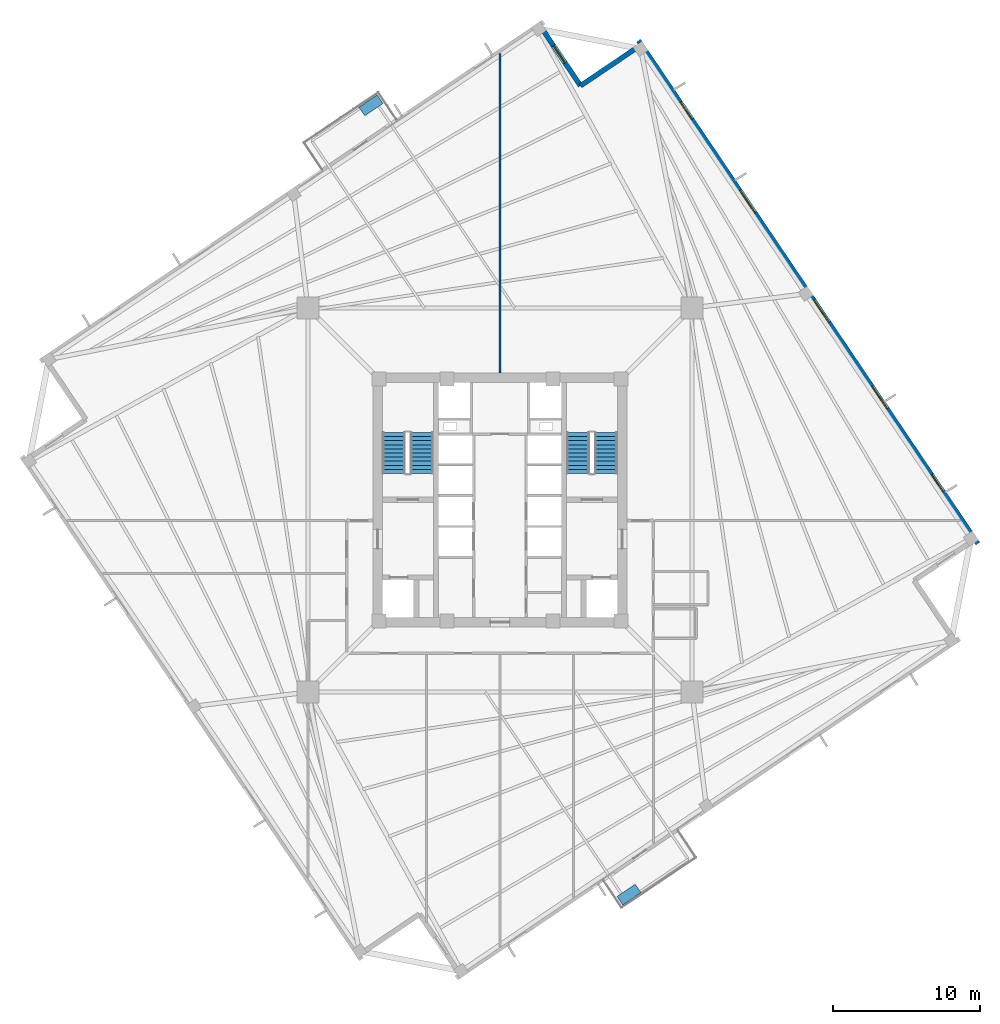
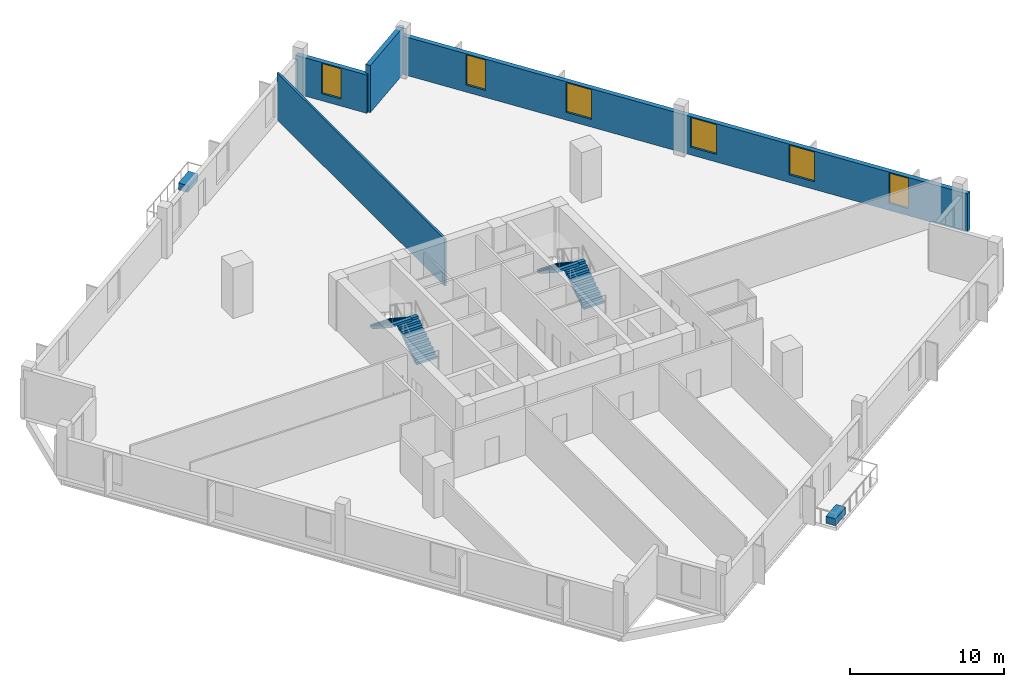
# One storey, part 5 of 8: 6 windows, 4 stair flights, 4 walls, 2 discrete accessories, 6 openings, 2 elements without a shape of their own.
"""IFC4 building model written with IfcOpenShell, lengths in metres."""

from ifc_helpers import new_model, si_unit, direction, frame, frame_2d, origin, origin_2d, place, context, subcontext, project, spatial, polyline, rectangle, outline, extrude, source, transform, mapped, material, layer, layer_set, type_object, element, fill, aggregate, save


model = new_model("IFC4")

# Units and contexts
model_context = context("Model", 3, precision=1e-05, world=origin(), true_north=direction((0.0, 1.0)))
body_context = subcontext(model_context, "Body", "Model", "MODEL_VIEW")
ifc_project = project(units=[si_unit("LENGTHUNIT", "METRE"), si_unit("AREAUNIT", "SQUARE_METRE"), si_unit("VOLUMEUNIT", "CUBIC_METRE"), si_unit("PLANEANGLEUNIT", "RADIAN"), si_unit("MASSUNIT", "GRAM", prefix="KILO"), si_unit("THERMODYNAMICTEMPERATUREUNIT", "KELVIN")], contexts=[model_context])

# Site, building, storey
site_placement = place(None, origin())
site = spatial("IfcSite", under=ifc_project, at=site_placement, CompositionType="ELEMENT")
building_placement = place(site_placement, origin())
building = spatial("IfcBuilding", under=site, at=building_placement, Name="Kosmvard Interchange Tower", CompositionType="ELEMENT")
storey_placement = place(building_placement, frame((0.0, 0.0, 152.39990234375)))
storey = spatial("IfcBuildingStorey", under=building, at=storey_placement, Name="L36", CompositionType="ELEMENT", Elevation=152.39990234375)

# Wall
ifc_material_1 = material(Name="Acoustic gypsum partition system")
ifc_layer_1 = layer(ifc_material_1, 0.14990234375, Name="Acoustic gypsum partition system")
ifc_layer_set_1 = layer_set([ifc_layer_1], Name="Acoustic gypsum partition system")
wall_type_1 = type_object("IfcWallType", Name="Acoustic Suite & Meeting Partition 150", PredefinedType="PARTITIONING", material=ifc_layer_set_1)
wall_1_placement = place(storey_placement, frame((0.0, 8.655029296875, 0.0), z_axis=(0.0, 0.0, 1.0), x_axis=(0.0, 1.0, 0.0)))
element("IfcWall", 1, at=wall_1_placement, inside=storey, type_object=wall_type_1, Name="L36 Room Partition 01.1", PredefinedType="PARTITIONING", context=body_context, shape_type="SweptSolid", body=[
    extrude(rectangle(XDim=21.771728515625, YDim=0.14990234375, at=frame_2d((10.8857421875, 0.0))), origin(), (0.0, 0.0, 1.0), 3.739990234375),
])

# Wall, openings, windows
ifc_material_2 = material(Name="Precast concrete C45/55", Category="concrete")
ifc_layer_2 = layer(ifc_material_2, 0.340087890625, Name="Precast concrete C45/55")
ifc_layer_set_2 = layer_set([ifc_layer_2], Name="Precast concrete C45/55")
wall_type_2 = type_object("IfcWallType", Name="Mid Tower Precast Pier Wall 340 C45/55", PredefinedType="STANDARD", material=ifc_layer_set_2)
wall_2_placement = place(storey_placement, frame((32.55810546875, -2.971923828125, 0.0), z_axis=(0.0, 0.0, 1.0), x_axis=(-0.559194910251, 0.829036218961, 0.0)))
wall_2 = element("IfcWall", 2, at=wall_2_placement, inside=storey, type_object=wall_type_2, Name="L36 Precast Facade Wall F-E", PredefinedType="STANDARD", context=body_context, shape_type="SweptSolid", body=[
    extrude(rectangle(XDim=41.340087890625, YDim=0.340087890625, at=frame_2d((20.669921875, 0.0))), origin(), (0.0, 0.0, 1.0), 3.0400390625),
])
opening_1_placement = place(wall_2_placement, frame((4.2607421875, 0.0, 0.56005859375)))
opening_1 = element("IfcOpeningElement", 3, at=opening_1_placement, cuts=wall_2, Name="Opening L36-W06", PredefinedType="OPENING", context=body_context, shape_type="SweptSolid", body=[
    extrude(rectangle(XDim=1.39990234375, YDim=2.39990234375, at=frame_2d((0.699951171875, 1.199951171875))), frame((0.0, 0.18017578125, 0.0), z_axis=(0.0, -1.0, 0.0), x_axis=(1.0, 0.0, 0.0)), (0.0, 0.0, 1.0), 0.360107421875),
])
opening_2_placement = place(wall_2_placement, frame((11.063720703125, 0.0, 0.610107421875)))
opening_2 = element("IfcOpeningElement", 4, at=opening_2_placement, cuts=wall_2, Name="Opening L36-W07", PredefinedType="OPENING", context=body_context, shape_type="SweptSolid", body=[
    extrude(rectangle(XDim=1.85009765625, YDim=2.35009765625, at=frame_2d((0.925048828125, 1.175048828125))), frame((0.0, 0.18017578125, 0.0), z_axis=(0.0, -1.0, 0.0), x_axis=(1.0, 0.0, 0.0)), (0.0, 0.0, 1.0), 0.360107421875),
])
opening_3_placement = place(wall_2_placement, frame((18.168212890625, 0.0, 0.610107421875)))
opening_3 = element("IfcOpeningElement", 5, at=opening_3_placement, cuts=wall_2, Name="Opening L36-W08", PredefinedType="OPENING", context=body_context, shape_type="SweptSolid", body=[
    extrude(rectangle(XDim=1.85009765625, YDim=2.35009765625, at=frame_2d((0.925048828125, 1.175048828125))), frame((0.0, 0.18017578125, 0.0), z_axis=(0.0, -1.0, 0.0), x_axis=(1.0, 0.0, 0.0)), (0.0, 0.0, 1.0), 0.360107421875),
])
opening_4_placement = place(wall_2_placement, frame((27.186279296875, 0.0, 0.610107421875)))
opening_4 = element("IfcOpeningElement", 6, at=opening_4_placement, cuts=wall_2, Name="Opening L36-W09", PredefinedType="OPENING", context=body_context, shape_type="SweptSolid", body=[
    extrude(rectangle(XDim=1.85009765625, YDim=2.35009765625, at=frame_2d((0.925048828125, 1.175048828125))), frame((0.0, 0.18017578125, 0.0), z_axis=(0.0, -1.0, 0.0), x_axis=(1.0, 0.0, 0.0)), (0.0, 0.0, 1.0), 0.360107421875),
])
opening_5_placement = place(wall_2_placement, frame((34.852294921875, 0.0, 0.56005859375)))
opening_5 = element("IfcOpeningElement", 7, at=opening_5_placement, cuts=wall_2, Name="Opening L36-W10", PredefinedType="OPENING", context=body_context, shape_type="SweptSolid", body=[
    extrude(rectangle(XDim=1.39990234375, YDim=2.39990234375, at=frame_2d((0.699951171875, 1.199951171875))), frame((0.0, 0.18017578125, 0.0), z_axis=(0.0, -1.0, 0.0), x_axis=(1.0, 0.0, 0.0)), (0.0, 0.0, 1.0), 0.360107421875),
])
ifc_material_3 = material(Name="Low-E solar-control double glazing", Category="glass")
window_type_1 = type_object("IfcWindowType", Name="Notched Corner Feature Window 1400x2400", PartitioningType="SINGLE_PANEL", PredefinedType="WINDOW", material=ifc_material_3)
shared_shape_1 = source(origin(), body_context, "Body", "SweptSolid", [
    extrude(rectangle(XDim=1.39990234375, YDim=2.39990234375, at=frame_2d((0.699951171875, 1.199951171875))), frame((0.0, 0.030029296875, 0.0), z_axis=(0.0, -1.0, 0.0), x_axis=(1.0, 0.0, 0.0)), (0.0, 0.0, 1.0), 0.06005859375),
])
window_1_placement = place(opening_1_placement, origin())
window_1 = element("IfcWindow", 8, at=window_1_placement, inside=storey, type_object=window_type_1, Name="L36 Facade Punched Window 06", OverallHeight=2.39990234375, OverallWidth=1.39990234375, PartitioningType="SINGLE_PANEL", PredefinedType="WINDOW", context=body_context, shape_type="MappedRepresentation", body=[
    mapped(shared_shape_1, transform((0.0, 0.0, 0.0), scale=1.0)),
])
fill(opening_1, window_1)
window_2_placement = place(opening_5_placement, origin())
window_2 = element("IfcWindow", 9, at=window_2_placement, inside=storey, type_object=window_type_1, Name="L36 Facade Punched Window 10", OverallHeight=2.39990234375, OverallWidth=1.39990234375, PartitioningType="SINGLE_PANEL", PredefinedType="WINDOW", context=body_context, shape_type="MappedRepresentation", body=[
    mapped(shared_shape_1, transform((0.0, 0.0, 0.0), scale=1.0)),
])
fill(opening_5, window_2)
window_type_2 = type_object("IfcWindowType", Name="Zone 3 Office Punched Window 1850x2350", PartitioningType="SINGLE_PANEL", PredefinedType="WINDOW", material=ifc_material_3)
shared_shape_2 = source(origin(), body_context, "Body", "SweptSolid", [
    extrude(rectangle(XDim=1.85009765625, YDim=2.35009765625, at=frame_2d((0.925048828125, 1.175048828125))), frame((0.0, 0.030029296875, 0.0), z_axis=(0.0, -1.0, 0.0), x_axis=(1.0, 0.0, 0.0)), (0.0, 0.0, 1.0), 0.06005859375),
])
window_3_placement = place(opening_2_placement, origin())
window_3 = element("IfcWindow", 10, at=window_3_placement, inside=storey, type_object=window_type_2, Name="L36 Facade Punched Window 07", OverallHeight=2.35009765625, OverallWidth=1.85009765625, PartitioningType="SINGLE_PANEL", PredefinedType="WINDOW", context=body_context, shape_type="MappedRepresentation", body=[
    mapped(shared_shape_2, transform((0.0, 0.0, 0.0), scale=1.0)),
])
fill(opening_2, window_3)
window_4_placement = place(opening_3_placement, origin())
window_4 = element("IfcWindow", 11, at=window_4_placement, inside=storey, type_object=window_type_2, Name="L36 Facade Punched Window 08", OverallHeight=2.35009765625, OverallWidth=1.85009765625, PartitioningType="SINGLE_PANEL", PredefinedType="WINDOW", context=body_context, shape_type="MappedRepresentation", body=[
    mapped(shared_shape_2, transform((0.0, 0.0, 0.0), scale=1.0)),
])
fill(opening_3, window_4)
window_5_placement = place(opening_4_placement, origin())
window_5 = element("IfcWindow", 12, at=window_5_placement, inside=storey, type_object=window_type_2, Name="L36 Facade Punched Window 09", OverallHeight=2.35009765625, OverallWidth=1.85009765625, PartitioningType="SINGLE_PANEL", PredefinedType="WINDOW", context=body_context, shape_type="MappedRepresentation", body=[
    mapped(shared_shape_2, transform((0.0, 0.0, 0.0), scale=1.0)),
])
fill(opening_4, window_5)

# Wall
wall_3_placement = place(storey_placement, frame((9.631103515625, 31.018798828125, 0.0), z_axis=(0.0, 0.0, 1.0), x_axis=(-0.829025804298, -0.559210350234, 0.0)))
element("IfcWall", 13, at=wall_3_placement, inside=storey, type_object=wall_type_2, Name="L36 Precast Facade Wall N-NE1", PredefinedType="STANDARD", context=body_context, shape_type="SweptSolid", body=[
    extrude(rectangle(XDim=5.000244140625, YDim=0.340087890625, at=frame_2d((2.5, 0.0))), origin(), (0.0, 0.0, 1.0), 3.739990234375),
])

# Wall, opening, window
wall_4_placement = place(storey_placement, frame((5.48583984375, 28.22265625, 0.0), z_axis=(0.0, 0.0, 1.0), x_axis=(-0.559171107879, 0.82905227345, 0.0)))
wall_4 = element("IfcWall", 14, at=wall_4_placement, inside=storey, type_object=wall_type_2, Name="L36 Precast Facade Wall N-NE2", PredefinedType="STANDARD", context=body_context, shape_type="SweptSolid", body=[
    extrude(rectangle(XDim=5.169921875, YDim=0.340087890625, at=frame_2d((2.5849609375, 0.0))), origin(), (0.0, 0.0, 1.0), 3.0400390625),
])
opening_6_placement = place(wall_4_placement, frame((1.885009765625, 0.0, 0.56005859375)))
opening_6 = element("IfcOpeningElement", 15, at=opening_6_placement, cuts=wall_4, Name="Opening L36-W22", PredefinedType="OPENING", context=body_context, shape_type="SweptSolid", body=[
    extrude(rectangle(XDim=1.39990234375, YDim=2.39990234375, at=frame_2d((0.699951171875, 1.199951171875))), frame((0.0, 0.18017578125, 0.0), z_axis=(0.0, -1.0, 0.0), x_axis=(1.0, 0.0, 0.0)), (0.0, 0.0, 1.0), 0.360107421875),
])
window_6_placement = place(opening_6_placement, origin())
window_6 = element("IfcWindow", 16, at=window_6_placement, inside=storey, type_object=window_type_1, Name="L36 Corner Notch Window 22", OverallHeight=2.39990234375, OverallWidth=1.39990234375, PartitioningType="SINGLE_PANEL", PredefinedType="WINDOW", context=body_context, shape_type="MappedRepresentation", body=[
    mapped(shared_shape_1, transform((0.0, 0.0, 0.0), scale=1.0)),
])
fill(opening_6, window_6)

# Stair, stair flights
ifc_material_4 = material(Name="Concrete C50/60", Category="concrete")
stair_type = type_object("IfcStairType", Name="Dog-Leg Core Exit Stair H4000 C50/60", PredefinedType="HALF_TURN_STAIR", material=ifc_material_4)
stair_1_placement = place(storey_placement, origin())
stair_1 = element("IfcStair", 17, at=stair_1_placement, inside=storey, type_object=stair_type, Name="L36 Protected Exit Stair ST-1", PredefinedType="HALF_TURN_STAIR")
stair_flight_type = type_object("IfcStairFlightType", Name="Core Stair Flight W1550 H4000 C50/60", PredefinedType="STRAIGHT", material=ifc_material_4)
shared_shape_3 = source(origin(), body_context, "Body", "SweptSolid", [
    extrude(outline(polyline([(0.0, 0.0), (0.0, 0.181884765625), (0.280029296875, 0.181884765625), (0.280029296875, 0.363525390625), (0.56005859375, 0.363525390625), (0.56005859375, 0.54541015625), (0.840087890625, 0.54541015625), (0.840087890625, 0.727294921875), (1.1201171875, 0.727294921875), (1.1201171875, 0.9091796875), (1.39990234375, 0.9091796875), (1.39990234375, 1.0908203125), (1.679931640625, 1.0908203125), (1.679931640625, 1.272705078125), (1.9599609375, 1.272705078125), (1.9599609375, 1.45458984375), (2.239990234375, 1.45458984375), (2.239990234375, 1.636474609375), (2.52001953125, 1.636474609375), (2.52001953125, 1.818115234375), (2.800048828125, 1.818115234375), (2.800048828125, 2.0), (2.800048828125, 1.62744140625), (0.293701171875, 0.0), (0.0, 0.0)])), frame((0.0, 0.77490234375, 0.0), z_axis=(0.0, -1.0, 0.0), x_axis=(1.0, 0.0, 0.0)), (0.0, 0.0, 1.0), 1.550048828125),
])
stair_flight_1_placement = place(storey_placement, frame((-5.31494140625, 1.800048828125, 0.0), z_axis=(0.0, 0.0, 1.0), x_axis=(0.0, 1.0, 0.0)))
stair_flight_1 = element("IfcStairFlight", 18, at=stair_flight_1_placement, type_object=stair_flight_type, Name="ST-1 flight 1", NumberOfRisers=11, NumberOfTreads=10, PredefinedType="STRAIGHT", RiserHeight=0.181818182, TreadLength=0.28, context=body_context, shape_type="MappedRepresentation", body=[
    mapped(shared_shape_3, transform((0.0, 0.0, 0.0), scale=1.0)),
])
stair_flight_2_placement = place(storey_placement, frame((-7.22509765625, 4.60009765625, 2.0), z_axis=(0.0, 0.0, 1.0), x_axis=(0.0, -1.0, 0.0)))
stair_flight_2 = element("IfcStairFlight", 19, at=stair_flight_2_placement, type_object=stair_flight_type, Name="ST-1 flight 2", NumberOfRisers=11, NumberOfTreads=10, PredefinedType="STRAIGHT", RiserHeight=0.181818182, TreadLength=0.28, context=body_context, shape_type="MappedRepresentation", body=[
    mapped(shared_shape_3, transform((0.0, 0.0, 0.0), scale=1.0)),
])
aggregate(stair_1, [stair_flight_1, stair_flight_2])

stair_2_placement = place(storey_placement, origin())
stair_2 = element("IfcStair", 20, at=stair_2_placement, inside=storey, type_object=stair_type, Name="L36 Protected Exit Stair ST-2", PredefinedType="HALF_TURN_STAIR")
stair_flight_3_placement = place(storey_placement, frame((7.22509765625, 1.800048828125, 0.0), z_axis=(0.0, 0.0, 1.0), x_axis=(0.0, 1.0, 0.0)))
stair_flight_3 = element("IfcStairFlight", 21, at=stair_flight_3_placement, type_object=stair_flight_type, Name="ST-2 flight 1", NumberOfRisers=11, NumberOfTreads=10, PredefinedType="STRAIGHT", RiserHeight=0.181818182, TreadLength=0.28, context=body_context, shape_type="MappedRepresentation", body=[
    mapped(shared_shape_3, transform((0.0, 0.0, 0.0), scale=1.0)),
])
stair_flight_4_placement = place(storey_placement, frame((5.31494140625, 4.60009765625, 2.0), z_axis=(0.0, 0.0, 1.0), x_axis=(0.0, -1.0, 0.0)))
stair_flight_4 = element("IfcStairFlight", 22, at=stair_flight_4_placement, type_object=stair_flight_type, Name="ST-2 flight 2", NumberOfRisers=11, NumberOfTreads=10, PredefinedType="STRAIGHT", RiserHeight=0.181818182, TreadLength=0.28, context=body_context, shape_type="MappedRepresentation", body=[
    mapped(shared_shape_3, transform((0.0, 0.0, 0.0), scale=1.0)),
])
aggregate(stair_2, [stair_flight_3, stair_flight_4])

# Discrete accessories
ifc_material_5 = material(Name="Terracotta precast planter concrete C45/55", Category="masonry")
discrete_accessory_type = type_object("IfcDiscreteAccessoryType", Name="Precast Tree-Balcony & Terrace Planter Box", PredefinedType="USERDEFINED", material=ifc_material_5)
shared_shape_4 = source(origin(), body_context, "Body", "SweptSolid", [
    extrude(rectangle(XDim=1.5, YDim=0.699951171875, at=origin_2d()), origin(), (0.0, 0.0, 1.0), 0.550048828125),
])
for number, where, z_axis, x_axis, name in (
    (23, (8.784912109375, -26.883544921875, 0.0), (0.0, 0.0, 1.0), (0.829037572555, 0.559192903471, 0.0), "L36 Balcony Tree Planter BAL-L36-S"),
    (24, (-8.784912109375, 26.883544921875, 0.0), (0.0, 0.0, 1.0), (0.829037572555, 0.559192903471, 0.0), "L36 Balcony Tree Planter BAL-L36-N"),
):
    element("IfcDiscreteAccessory", number, at=place(storey_placement, frame(where, z_axis=z_axis, x_axis=x_axis)), inside=storey, type_object=discrete_accessory_type, Name=name, ObjectType="PLANTER", PredefinedType="USERDEFINED", context=body_context, shape_type="MappedRepresentation", body=[
        mapped(shared_shape_4, transform((0.0, 0.0, 0.0), scale=1.0)),
    ])

save(model, "model.ifc")
